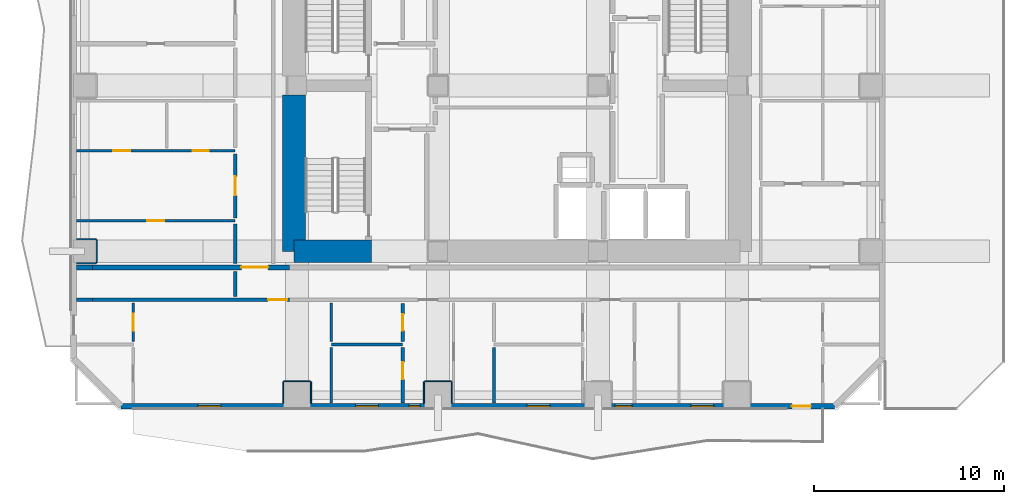
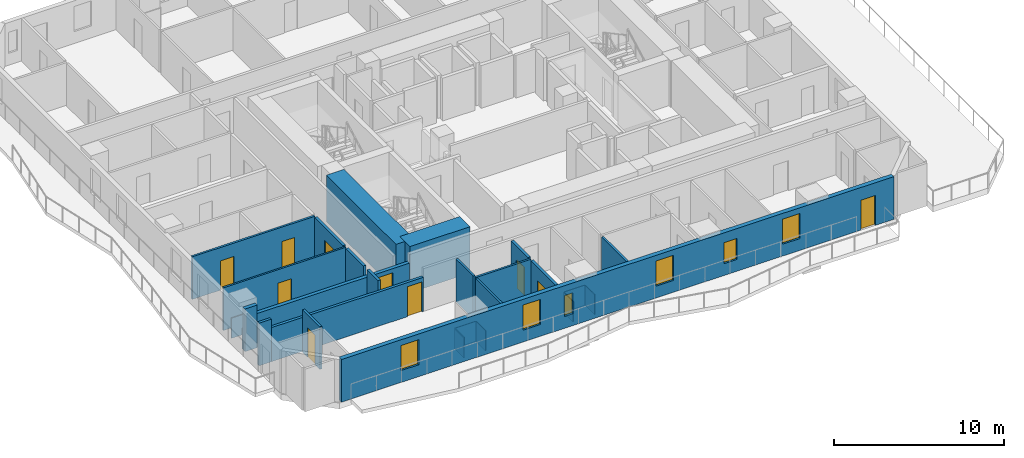
# One storey, part 2 of 12: 28 walls, 10 doors, 6 windows, 16 openings.
"""IFC4 building model written with IfcOpenShell, lengths in metres."""

import ifcopenshell
import ifcopenshell.guid

model = None  # the IFC model being written
_history = None  # IfcOwnerHistory: only IFC2X3 demands one
_inside = {}  # id of a spatial element -> (the spatial element, [elements in it])
_under = {}  # id of a project, library or spatial element -> (it, [spatial elements below it])
_declared = {}  # id of a project -> (the project, [libraries it declares])
_typed = {}  # id of a type object -> (the type object, [elements of that type])
_made_of = {}  # id of a material, layer set ... -> (it, [elements and type objects made of it])


def new_model(schema):
    """Start an empty IFC model of exactly this schema.

    Asked for "IFC4X3", IfcOpenShell would pick the latest addendum, in which some entities
    have other attributes; the version numbers below select the first issue.
    IFC2X3 requires an IfcOwnerHistory on every rooted entity: one is made here for all.
    """
    global model, _history
    if schema == "IFC4X3":
        model = ifcopenshell.file(schema_version=(4, 3, 0, 0))
    else:
        model = ifcopenshell.file(schema=schema)
    _inside.clear()
    _under.clear()
    _declared.clear()
    _typed.clear()
    _made_of.clear()
    _history = None
    if model.schema == "IFC2X3":
        org = make("IfcOrganization", Name="unknown")
        user = make(
            "IfcPersonAndOrganization",
            ThePerson=make("IfcPerson", FamilyName="unknown"),
            TheOrganization=org,
        )
        app = make(
            "IfcApplication",
            ApplicationDeveloper=org,
            Version="unknown",
            ApplicationFullName="unknown",
            ApplicationIdentifier="unknown",
        )
        _history = make(
            "IfcOwnerHistory",
            OwningUser=user,
            OwningApplication=app,
            ChangeAction="ADDED",
            CreationDate=0,
        )
    return model


def make(cls, **values):
    """One entity of the class cls with the attributes given. An attribute that is None is left unset."""
    return model.create_entity(
        cls, **{name: value for name, value in values.items() if value is not None}
    )


def rooted(cls, **values):
    """An entity with a GlobalId (a new one), such as an element, a storey or a relation."""
    return make(cls, GlobalId=ifcopenshell.guid.new(), OwnerHistory=_history, **values)


def si_unit(unit_type, name, prefix=None):
    """IfcSIUnit, for example si_unit("LENGTHUNIT", "METRE", prefix="MILLI")."""
    return make("IfcSIUnit", UnitType=unit_type, Prefix=prefix, Name=name)


def assignment(units):
    """IfcUnitAssignment: the units of a project."""
    return None if units is None else make("IfcUnitAssignment", Units=units)


def point(xyz):
    """IfcCartesianPoint."""
    return None if xyz is None else make("IfcCartesianPoint", Coordinates=xyz)


def direction(xyz):
    """IfcDirection."""
    return None if xyz is None else make("IfcDirection", DirectionRatios=xyz)


def frame(location, z_axis=None, x_axis=None):
    """IfcAxis2Placement3D, a coordinate frame: its origin and axes. An axis left out is left unset."""
    return make(
        "IfcAxis2Placement3D",
        Location=point(location),
        Axis=direction(z_axis),
        RefDirection=direction(x_axis),
    )


def frame_2d(location, x_axis=None):
    """IfcAxis2Placement2D, a coordinate frame in the plane: its origin and x axis."""
    return make(
        "IfcAxis2Placement2D", Location=point(location), RefDirection=direction(x_axis)
    )


def origin():
    """The frame at (0, 0, 0) with its axes left unset."""
    return frame((0.0, 0.0, 0.0))


def place(relative_to, where):
    """IfcLocalPlacement: puts the frame where relative to a parent placement (None: the world)."""
    return make(
        "IfcLocalPlacement", PlacementRelTo=relative_to, RelativePlacement=where
    )


def context(
    kind, dimensions, precision=None, world=None, true_north=None, identifier=None
):
    """IfcGeometricRepresentationContext, for example the 3D "Model" context."""
    return make(
        "IfcGeometricRepresentationContext",
        ContextIdentifier=identifier,
        ContextType=kind,
        CoordinateSpaceDimension=dimensions,
        Precision=precision,
        WorldCoordinateSystem=world,
        TrueNorth=true_north,
    )


def subcontext(parent, identifier, kind, view, scale=None):
    """IfcGeometricRepresentationSubContext, for example "Body" below "Model"."""
    return make(
        "IfcGeometricRepresentationSubContext",
        ContextIdentifier=identifier,
        ContextType=kind,
        ParentContext=parent,
        TargetScale=scale,
        TargetView=view,
    )


def project(units=None, contexts=None):
    """IfcProject with its units and contexts."""
    return rooted(
        "IfcProject",
        Name="project",
        RepresentationContexts=contexts,
        UnitsInContext=assignment(units),
    )


def spatial(cls, under=None, at=None, **own):
    """A site, building, storey or space (cls), placed at a placement, below another one or the project."""
    s = rooted(cls, ObjectPlacement=at, **own)
    if under is not None:
        _under.setdefault(under.id(), (under, []))[1].append(s)
    return s


def profile(cls, at=None, kind="AREA", **sizes):
    """A parametric profile (cls). Its sizes go by their IFC names, for example OverallWidth=200.0."""
    return make(cls, ProfileType=kind, Position=at, **sizes)


def rectangle(**sizes):
    """IfcRectangleProfileDef."""
    return profile("IfcRectangleProfileDef", **sizes)


def extrude(swept, where, along, depth):
    """IfcExtrudedAreaSolid: the profile swept, set in the frame where, extruded along a direction by depth."""
    return make(
        "IfcExtrudedAreaSolid",
        SweptArea=swept,
        Position=where,
        ExtrudedDirection=direction(along),
        Depth=depth,
    )


def shape(context_of_items, identifier, shape_type, items):
    """IfcShapeRepresentation: the items that make up one representation, for example the "Body"."""
    return make(
        "IfcShapeRepresentation",
        ContextOfItems=context_of_items,
        RepresentationIdentifier=identifier,
        RepresentationType=shape_type,
        Items=items,
    )


def material(Name=None, Category=None):
    """IfcMaterial."""
    return make("IfcMaterial", Name=Name, Category=Category)


def layer(
    of_material, thickness, ventilated=None, Name=None, Category=None, Priority=None
):
    """IfcMaterialLayer: one layer of a wall or slab, of a material (None: an air gap)."""
    return make(
        "IfcMaterialLayer",
        Material=of_material,
        LayerThickness=thickness,
        IsVentilated=ventilated,
        Name=Name,
        Category=Category,
        Priority=Priority,
    )


def layer_set(layers, Name=None):
    """IfcMaterialLayerSet."""
    return make("IfcMaterialLayerSet", MaterialLayers=layers, LayerSetName=Name)


def made_of(thing, what):
    """Note that an element or type object is made of a material, layer set ...; save() writes the relation."""
    if what is not None:
        _made_of.setdefault(what.id(), (what, []))[1].append(thing)
    return thing


def type_object(cls, material=None, **own):
    """A type object (cls), such as IfcWallType, which elements share."""
    return made_of(rooted(cls, **own), material)


def element(
    cls,
    number,
    at=None,
    inside=None,
    cuts=None,
    type_object=None,
    material=None,
    context=None,
    identifier="Body",
    shape_type=None,
    held_by="IfcProductDefinitionShape",
    body=None,
    shapes=None,
    **own,
):
    """One element of the class cls, such as IfcWall. Its Tag is "e" and its number.

    at: its placement. inside: the storey or other place that contains it. cuts: it is an
    opening in that element (IfcRelVoidsElement). A single representation is given by context,
    identifier, shape_type and body (its items); several are given by shapes. held_by: the class
    of the entity that holds the representations. save() writes the other relations.
    """
    e = rooted(cls, Tag="e%d" % number, ObjectPlacement=at, **own)
    if body is not None:
        shapes = [shape(context, identifier, shape_type, body)]
    if shapes is not None:
        e.Representation = make(held_by, Representations=shapes)
    if inside is not None:
        _inside.setdefault(inside.id(), (inside, []))[1].append(e)
    if cuts is not None:
        rooted(
            "IfcRelVoidsElement", RelatingBuildingElement=cuts, RelatedOpeningElement=e
        )
    if type_object is not None:
        _typed.setdefault(type_object.id(), (type_object, []))[1].append(e)
    return made_of(e, material)


def fill(opening, filler):
    """IfcRelFillsElement: the door or window that sits in an opening."""
    return rooted(
        "IfcRelFillsElement",
        RelatingOpeningElement=opening,
        RelatedBuildingElement=filler,
    )


def aggregate(whole, parts):
    """IfcRelAggregates: a whole, such as a stair, and the parts it consists of."""
    return rooted("IfcRelAggregates", RelatingObject=whole, RelatedObjects=parts)


def save(model, path):
    """Write the relations noted so far, then the file.

    IfcRelAggregates (storeys below a building ...), IfcRelContainedInSpatialStructure (elements
    in a storey), IfcRelDefinesByType, IfcRelAssociatesMaterial and IfcRelDeclares: one each for
    every whole, place, type object, material and project.
    """
    for whole, parts in _under.values():
        aggregate(whole, parts)
    for where, things in _inside.values():
        rooted(
            "IfcRelContainedInSpatialStructure",
            RelatedElements=things,
            RelatingStructure=where,
        )
    for kind, things in _typed.values():
        rooted("IfcRelDefinesByType", RelatedObjects=things, RelatingType=kind)
    for what, things in _made_of.values():
        rooted("IfcRelAssociatesMaterial", RelatedObjects=things, RelatingMaterial=what)
    for by, libraries in _declared.values():
        rooted("IfcRelDeclares", RelatingContext=by, RelatedDefinitions=libraries)
    model.write(path)


model = new_model("IFC4")

# Units and contexts
model_context = context("Model", 3, precision=1e-05, world=origin(), true_north=direction((0.0, 1.0)))
body_context = subcontext(model_context, "Body", "Model", "MODEL_VIEW")
ifc_project = project(units=[si_unit("LENGTHUNIT", "METRE"), si_unit("AREAUNIT", "SQUARE_METRE"), si_unit("VOLUMEUNIT", "CUBIC_METRE"), si_unit("PLANEANGLEUNIT", "RADIAN"), si_unit("MASSUNIT", "GRAM", prefix="KILO")], contexts=[model_context])

# Site, building, storey
site_placement = place(None, origin())
site = spatial("IfcSite", under=ifc_project, at=site_placement, CompositionType="ELEMENT")
building_placement = place(site_placement, origin())
building = spatial("IfcBuilding", under=site, at=building_placement, Name="Solanera Arch Residences", CompositionType="ELEMENT")
storey_placement = place(building_placement, frame((0.0, 0.0, 81.760009765625)))
storey = spatial("IfcBuildingStorey", under=building, at=storey_placement, Name="L23", CompositionType="ELEMENT", Elevation=81.760009765625)

# Walls
ifc_material_1 = material(Name="Fire-Rated Gypsum Stud Partition", Category="gypsum")
ifc_layer_1 = layer(ifc_material_1, 0.06005859375)
ifc_layer_set_1 = layer_set([ifc_layer_1], Name="Fire-Rated Gypsum Stud Partition")
wall_type_1 = type_object("IfcWallType", Name="Column Acoustic Furring Wall 60", PredefinedType="PARTITIONING", material=ifc_layer_set_1)
wall_1_placement = place(storey_placement, frame((12.699951171875, 15.181884765625, 0.0), z_axis=(0.0, 0.0, 1.0), x_axis=(1.0, 0.0, 0.0)))
element("IfcWall", 1, at=wall_1_placement, inside=storey, type_object=wall_type_1, Name="L23 Column Furring 9N", PredefinedType="PARTITIONING", context=body_context, shape_type="SweptSolid", body=[
    extrude(rectangle(XDim=1.400146484375, YDim=0.06005859375, at=frame_2d((0.7001953125, 0.0))), origin(), (0.0, 0.0, 1.0), 1.449951171875),
])
for number, where, z_axis, x_axis, name in (
    (2, (12.66796875, 14.030029296875, 0.0), (0.0, 0.0, 1.0), (0.0, 1.0, 0.0), "L23 Column Furring 9W"),
    (3, (14.132080078125, 14.030029296875, 0.0), (0.0, 0.0, 1.0), (0.0, 1.0, 0.0), "L23 Column Furring 9E"),
):
    element("IfcWall", number, at=place(storey_placement, frame(where, z_axis=z_axis, x_axis=x_axis)), inside=storey, type_object=wall_type_1, Name=name, PredefinedType="PARTITIONING", context=body_context, shape_type="SweptSolid", body=[
        extrude(rectangle(XDim=1.119873046875, YDim=0.06005859375, at=frame_2d((0.56005859375, 0.0))), origin(), (0.0, 0.0, 1.0), 1.449951171875),
    ])
wall_2_placement = place(storey_placement, frame((20.10009765625, 15.181884765625, 0.0), z_axis=(0.0, 0.0, 1.0), x_axis=(1.0, 0.0, 0.0)))
element("IfcWall", 4, at=wall_2_placement, inside=storey, type_object=wall_type_1, Name="L23 Column Furring 11N", PredefinedType="PARTITIONING", context=body_context, shape_type="SweptSolid", body=[
    extrude(rectangle(XDim=1.39990234375, YDim=0.06005859375, at=frame_2d((0.699951171875, 0.0))), origin(), (0.0, 0.0, 1.0), 1.449951171875),
])
for number, where, z_axis, x_axis, name in (
    (5, (20.068115234375, 14.030029296875, 0.0), (0.0, 0.0, 1.0), (0.0, 1.0, 0.0), "L23 Column Furring 11W"),
    (6, (21.531982421875, 14.030029296875, 0.0), (0.0, 0.0, 1.0), (0.0, 1.0, 0.0), "L23 Column Furring 11E"),
):
    element("IfcWall", number, at=place(storey_placement, frame(where, z_axis=z_axis, x_axis=x_axis)), inside=storey, type_object=wall_type_1, Name=name, PredefinedType="PARTITIONING", context=body_context, shape_type="SweptSolid", body=[
        extrude(rectangle(XDim=1.119873046875, YDim=0.06005859375, at=frame_2d((0.56005859375, 0.0))), origin(), (0.0, 0.0, 1.0), 1.449951171875),
    ])
for number, where, z_axis, x_axis, name in (
    (7, (1.830078125, 21.367919921875, 0.0), (0.0, 0.0, 1.0), (1.0, 0.0, 0.0), "L23 Column Furring 17S"),
    (8, (1.830078125, 22.632080078125, 0.0), (0.0, 0.0, 1.0), (1.0, 0.0, 0.0), "L23 Column Furring 17N"),
):
    element("IfcWall", number, at=place(storey_placement, frame(where, z_axis=z_axis, x_axis=x_axis)), inside=storey, type_object=wall_type_1, Name=name, PredefinedType="PARTITIONING", context=body_context, shape_type="SweptSolid", body=[
        extrude(rectangle(XDim=1.02001953125, YDim=0.06005859375, at=frame_2d((0.510009765625, 0.0))), origin(), (0.0, 0.0, 1.0), 1.449951171875),
    ])
wall_3_placement = place(storey_placement, frame((2.882080078125, 21.39990234375, 0.0), z_axis=(0.0, 0.0, 1.0), x_axis=(0.0, 1.0, 0.0)))
element("IfcWall", 9, at=wall_3_placement, inside=storey, type_object=wall_type_1, Name="L23 Column Furring 17E", PredefinedType="PARTITIONING", context=body_context, shape_type="SweptSolid", body=[
    extrude(rectangle(XDim=1.2001953125, YDim=0.06005859375, at=frame_2d((0.60009765625, 0.0))), origin(), (0.0, 0.0, 1.0), 1.449951171875),
])
ifc_material_2 = material(Name="Concrete C55/67 (f'c = 60 MPa)", Category="concrete")
ifc_layer_2 = layer(ifc_material_2, 1.199951171875)
ifc_layer_set_2 = layer_set([ifc_layer_2], Name="Concrete C55/67 (f'c = 60 MPa)")
wall_type_2 = type_object("IfcWallType", Name="Core Shear Wall CW-1200", PredefinedType="SHEAR", material=ifc_layer_set_2)
wall_4_placement = place(storey_placement, frame((13.239990234375, 22.0, 0.0), z_axis=(0.0, 0.0, 1.0), x_axis=(0.0, 1.0, 0.0)))
element("IfcWall", 10, at=wall_4_placement, inside=storey, type_object=wall_type_2, Name="L23 West Core South Shear Wall", PredefinedType="SHEAR", context=body_context, shape_type="SweptSolid", body=[
    extrude(rectangle(XDim=8.195068359375, YDim=1.199951171875, at=frame_2d((4.09765625, 0.0))), origin(), (0.0, 0.0, 1.0), 3.320068359375),
])
wall_5_placement = place(storey_placement, frame((13.239990234375, 22.0, 0.0), z_axis=(0.0, 0.0, 1.0), x_axis=(1.0, 0.0, 0.0)))
element("IfcWall", 11, at=wall_5_placement, inside=storey, type_object=wall_type_2, Name="L23 South-West Core Shear Wall", PredefinedType="SHEAR", context=body_context, shape_type="SweptSolid", body=[
    extrude(rectangle(XDim=4.080078125, YDim=1.199951171875, at=frame_2d((2.0400390625, 0.0))), origin(), (0.0, 0.0, 1.0), 3.320068359375),
])
ifc_material_3 = material(Name="Autoclaved Aerated Concrete Blockwork", Category="masonry")
ifc_layer_3 = layer(ifc_material_3, 0.179931640625)
ifc_layer_set_3 = layer_set([ifc_layer_3], Name="Autoclaved Aerated Concrete Blockwork")
wall_type_3 = type_object("IfcWallType", Name="Corridor Fire Partition 180", PredefinedType="PARTITIONING", material=ifc_layer_set_3)
wall_6_placement = place(storey_placement, frame((1.826904296875, 19.449951171875, 0.0), z_axis=(0.0, 0.0, 1.0), x_axis=(1.0, 0.0, 0.0)))
element("IfcWall", 12, at=wall_6_placement, inside=storey, type_object=wall_type_3, Name="L23 Interior Partition H8 1", PredefinedType="PARTITIONING", context=body_context, shape_type="SweptSolid", body=[
    extrude(rectangle(XDim=0.830078125, YDim=0.179931640625, at=frame_2d((0.4150390625, 0.0))), origin(), (0.0, 0.0, 1.0), 3.06005859375),
])

# Wall, opening, door
wall_7_placement = place(storey_placement, frame((2.656982421875, 19.449951171875, 0.0), z_axis=(0.0, 0.0, 1.0), x_axis=(1.0, 0.0, 0.0)))
wall_7 = element("IfcWall", 13, at=wall_7_placement, inside=storey, type_object=wall_type_3, Name="L23 Interior Partition H8 2", PredefinedType="PARTITIONING", context=body_context, shape_type="SweptSolid", body=[
    extrude(rectangle(XDim=10.3359375, YDim=0.179931640625, at=frame_2d((5.16796875, 0.0))), origin(), (0.0, 0.0, 1.0), 2.445068359375),
])
opening_1_placement = place(wall_7_placement, frame((9.22607421875, 0.0, 0.0)))
opening_1 = element("IfcOpeningElement", 14, at=opening_1_placement, cuts=wall_7, Name="Opening DI-01", PredefinedType="OPENING", context=body_context, shape_type="SweptSolid", body=[
    extrude(rectangle(XDim=1.0, YDim=2.14990234375, at=frame_2d((0.5, 1.074951171875))), frame((0.0, 0.10009765625, 0.0), z_axis=(0.0, -1.0, 0.0), x_axis=(1.0, 0.0, 0.0)), (0.0, 0.0, 1.0), 0.1999),
])
ifc_material_4 = material(Name="Fire-Rated Architectural Hardwood", Category="wood")
door_type_1 = type_object("IfcDoorType", Name="Unit Entrance Fire Door DI-01", OperationType="NOTDEFINED", PredefinedType="DOOR", material=ifc_material_4)
door_1_placement = place(opening_1_placement, origin())
door_1 = element("IfcDoor", 15, at=door_1_placement, inside=storey, type_object=door_type_1, Name="DR-L23-IN-013", OperationType="SINGLE_SWING_RIGHT", OverallHeight=2.14990234375, OverallWidth=1.0, PredefinedType="DOOR", context=body_context, shape_type="SweptSolid", body=[
    extrude(rectangle(XDim=1.0, YDim=2.14990234375, at=frame_2d((0.5, 1.074951171875))), frame((0.0, 0.02490234375, 0.0), z_axis=(0.0, -1.0, 0.0), x_axis=(1.0, 0.0, 0.0)), (0.0, 0.0, 1.0), 0.050048828125),
])
fill(opening_1, door_1)

# Walls
wall_8_placement = place(storey_placement, frame((10.14990234375, 19.637939453125, 0.0), z_axis=(0.0, 0.0, 1.0), x_axis=(0.0, 1.0, 0.0)))
element("IfcWall", 16, at=wall_8_placement, inside=storey, type_object=wall_type_3, Name="L23 Interior Partition V6 1", PredefinedType="PARTITIONING", context=body_context, shape_type="SweptSolid", body=[
    extrude(rectangle(XDim=1.2939453125, YDim=0.179931640625, at=frame_2d((0.64697265625, 0.0))), origin(), (0.0, 0.0, 1.0), 3.06005859375),
])
wall_9_placement = place(storey_placement, frame((10.14990234375, 21.367919921875, 0.0), z_axis=(0.0, 0.0, 1.0), x_axis=(0.0, 1.0, 0.0)))
element("IfcWall", 17, at=wall_9_placement, inside=storey, type_object=wall_type_3, Name="L23 Interior Partition V6 2", PredefinedType="PARTITIONING", context=body_context, shape_type="SweptSolid", body=[
    extrude(rectangle(XDim=2.073974609375, YDim=0.179931640625, at=frame_2d((1.037109375, 0.0))), origin(), (0.0, 0.0, 1.0), 3.06005859375),
])

# Wall, opening, door
wall_10_placement = place(storey_placement, frame((10.14990234375, 23.758056640625, 0.0), z_axis=(0.0, 0.0, 1.0), x_axis=(0.0, 1.0, 0.0)))
wall_10 = element("IfcWall", 18, at=wall_10_placement, inside=storey, type_object=wall_type_3, Name="L23 Interior Partition V6 3", PredefinedType="PARTITIONING", context=body_context, shape_type="SweptSolid", body=[
    extrude(rectangle(XDim=3.348876953125, YDim=0.179931640625, at=frame_2d((1.67431640625, 0.0))), origin(), (0.0, 0.0, 1.0), 3.06005859375),
])
opening_2_placement = place(wall_10_placement, frame((1.179931640625, 0.0, 0.0)))
opening_2 = element("IfcOpeningElement", 19, at=opening_2_placement, cuts=wall_10, Name="Opening DI-01", PredefinedType="OPENING", context=body_context, shape_type="SweptSolid", body=[
    extrude(rectangle(XDim=1.0, YDim=2.14990234375, at=frame_2d((0.5, 1.074951171875))), frame((0.0, 0.10009765625, 0.0), z_axis=(0.0, -1.0, 0.0), x_axis=(1.0, 0.0, 0.0)), (0.0, 0.0, 1.0), 0.1999),
])
door_2_placement = place(opening_2_placement, origin())
door_2 = element("IfcDoor", 20, at=door_2_placement, inside=storey, type_object=door_type_1, Name="DR-L23-IN-042", OperationType="SINGLE_SWING_LEFT", OverallHeight=2.14990234375, OverallWidth=1.0, PredefinedType="DOOR", context=body_context, shape_type="SweptSolid", body=[
    extrude(rectangle(XDim=1.0, YDim=2.14990234375, at=frame_2d((0.5, 1.074951171875))), frame((0.0, 0.02490234375, 0.0), z_axis=(0.0, -1.0, 0.0), x_axis=(1.0, 0.0, 0.0)), (0.0, 0.0, 1.0), 0.050048828125),
])
fill(opening_2, door_2)

wall_11_placement = place(storey_placement, frame((18.949951171875, 14.027099609375, 0.0), z_axis=(0.0, 0.0, 1.0), x_axis=(0.0, 1.0, 0.0)))
wall_11 = element("IfcWall", 21, at=wall_11_placement, inside=storey, type_object=wall_type_3, Name="L23 Interior Partition V8 1", PredefinedType="PARTITIONING", context=body_context, shape_type="SweptSolid", body=[
    extrude(rectangle(XDim=2.911865234375, YDim=0.179931640625, at=frame_2d((1.4560546875, 0.0))), origin(), (0.0, 0.0, 1.0), 3.06005859375),
])
opening_3_placement = place(wall_11_placement, frame((1.2490234375, 0.0, 0.0)))
opening_3 = element("IfcOpeningElement", 22, at=opening_3_placement, cuts=wall_11, Name="Opening DI-03", PredefinedType="OPENING", context=body_context, shape_type="SweptSolid", body=[
    extrude(rectangle(XDim=0.89990234375, YDim=2.10009765625, at=frame_2d((0.449951171875, 1.050048828125))), frame((0.0, 0.10009765625, 0.0), z_axis=(0.0, -1.0, 0.0), x_axis=(1.0, 0.0, 0.0)), (0.0, 0.0, 1.0), 0.1999),
])
ifc_material_5 = material(Name="Fire-Rated Architectural Hardwood", Category="wood")
door_type_2 = type_object("IfcDoorType", Name="Bedroom Swing Door DI-03", OperationType="NOTDEFINED", PredefinedType="DOOR", material=ifc_material_5)
door_3_placement = place(opening_3_placement, origin())
door_3 = element("IfcDoor", 23, at=door_3_placement, inside=storey, type_object=door_type_2, Name="DR-L23-IN-018", OperationType="SINGLE_SWING_LEFT", OverallHeight=2.10009765625, OverallWidth=0.89990234375, PredefinedType="DOOR", context=body_context, shape_type="SweptSolid", body=[
    extrude(rectangle(XDim=0.89990234375, YDim=2.10009765625, at=frame_2d((0.449951171875, 1.050048828125))), frame((0.0, 0.02490234375, 0.0), z_axis=(0.0, -1.0, 0.0), x_axis=(1.0, 0.0, 0.0)), (0.0, 0.0, 1.0), 0.050048828125),
])
fill(opening_3, door_3)

wall_12_placement = place(storey_placement, frame((18.949951171875, 17.27490234375, 0.0), z_axis=(0.0, 0.0, 1.0), x_axis=(0.0, 1.0, 0.0)))
wall_12 = element("IfcWall", 24, at=wall_12_placement, inside=storey, type_object=wall_type_3, Name="L23 Interior Partition V8 2", PredefinedType="PARTITIONING", context=body_context, shape_type="SweptSolid", body=[
    extrude(rectangle(XDim=1.987060546875, YDim=0.179931640625, at=frame_2d((0.99365234375, 0.0))), origin(), (0.0, 0.0, 1.0), 3.06005859375),
])
opening_4_placement = place(wall_12_placement, frame((0.56103515625, 0.0, 0.0)))
opening_4 = element("IfcOpeningElement", 25, at=opening_4_placement, cuts=wall_12, Name="Opening DI-05", PredefinedType="OPENING", context=body_context, shape_type="SweptSolid", body=[
    extrude(rectangle(XDim=0.860107421875, YDim=2.02001953125, at=frame_2d((0.43017578125, 1.010009765625))), frame((0.0, 0.10009765625, 0.0), z_axis=(0.0, -1.0, 0.0), x_axis=(1.0, 0.0, 0.0)), (0.0, 0.0, 1.0), 0.1999),
])
ifc_material_6 = material(Name="Fire-Rated Architectural Hardwood", Category="wood")
door_type_3 = type_object("IfcDoorType", Name="Bathroom Swing Door DI-05", OperationType="NOTDEFINED", PredefinedType="DOOR", material=ifc_material_6)
door_4_placement = place(opening_4_placement, origin())
door_4 = element("IfcDoor", 26, at=door_4_placement, inside=storey, type_object=door_type_3, Name="DR-L23-IN-017", OperationType="SINGLE_SWING_RIGHT", OverallHeight=2.02001953125, OverallWidth=0.860107421875, PredefinedType="DOOR", context=body_context, shape_type="SweptSolid", body=[
    extrude(rectangle(XDim=0.860107421875, YDim=2.02001953125, at=frame_2d((0.43017578125, 1.010009765625))), frame((0.0, 0.02490234375, 0.0), z_axis=(0.0, -1.0, 0.0), x_axis=(1.0, 0.0, 0.0)), (0.0, 0.0, 1.0), 0.050048828125),
])
fill(opening_4, door_4)

# Wall, openings, door, windows
ifc_material_7 = material(Name="Precast Concrete C35/45", Category="concrete")
ifc_layer_4 = layer(ifc_material_7, 0.300048828125)
ifc_layer_set_4 = layer_set([ifc_layer_4], Name="Precast Concrete C35/45")
wall_type_4 = type_object("IfcWallType", Name="Exterior Wall Precast Masonry-Frame 300", PredefinedType="STANDARD", material=ifc_layer_set_4)
wall_13_placement = place(storey_placement, frame((41.635009765625, 13.864990234375, 0.0), z_axis=(0.0, 0.0, 1.0), x_axis=(-1.0, 0.0, 0.0)))
wall_13 = element("IfcWall", 27, at=wall_13_placement, inside=storey, type_object=wall_type_4, Name="L23 Tower Exterior Precast Masonry-Frame Wall S", PredefinedType="STANDARD", context=body_context, shape_type="SweptSolid", body=[
    extrude(rectangle(XDim=37.469970703125, YDim=0.300048828125, at=frame_2d((18.73486328125, 0.0))), origin(), (0.0, 0.0, 1.0), 3.06005859375),
])
opening_5_placement = place(wall_13_placement, frame((1.2509765625, 0.0, 0.0)))
opening_5 = element("IfcOpeningElement", 28, at=opening_5_placement, cuts=wall_13, Name="Opening DB-01", PredefinedType="OPENING", context=body_context, shape_type="SweptSolid", body=[
    extrude(rectangle(XDim=1.0, YDim=2.14990234375, at=frame_2d((0.5, 1.074951171875))), frame((0.0, 0.159912109375, 0.0), z_axis=(0.0, -1.0, 0.0), x_axis=(1.0, 0.0, 0.0)), (0.0, 0.0, 1.0), 0.32),
])
opening_6_placement = place(wall_13_placement, frame((32.235107421875, 0.0, 0.85009765625)))
opening_6 = element("IfcOpeningElement", 29, at=opening_6_placement, cuts=wall_13, Name="Opening W-01", PredefinedType="OPENING", context=body_context, shape_type="SweptSolid", body=[
    extrude(rectangle(XDim=1.199951171875, YDim=1.800048828125, at=frame_2d((0.60009765625, 0.89990234375))), frame((0.0, 0.159912109375, 0.0), z_axis=(0.0, -1.0, 0.0), x_axis=(1.0, 0.0, 0.0)), (0.0, 0.0, 1.0), 0.32),
])
opening_7_placement = place(wall_13_placement, frame((21.77392578125, 0.0, 0.85009765625)))
opening_7 = element("IfcOpeningElement", 30, at=opening_7_placement, cuts=wall_13, Name="Opening W-14", PredefinedType="OPENING", context=body_context, shape_type="SweptSolid", body=[
    extrude(rectangle(XDim=0.580078125, YDim=1.5, at=frame_2d((0.2900390625, 0.75))), frame((0.0, 0.159912109375, 0.0), z_axis=(0.0, -1.0, 0.0), x_axis=(1.0, 0.0, 0.0)), (0.0, 0.0, 1.0), 0.32),
])
opening_8_placement = place(wall_13_placement, frame((23.962890625, 0.0, 0.85009765625)))
opening_8 = element("IfcOpeningElement", 31, at=opening_8_placement, cuts=wall_13, Name="Opening W-01", PredefinedType="OPENING", context=body_context, shape_type="SweptSolid", body=[
    extrude(rectangle(XDim=1.199951171875, YDim=1.800048828125, at=frame_2d((0.60009765625, 0.89990234375))), frame((0.0, 0.159912109375, 0.0), z_axis=(0.0, -1.0, 0.0), x_axis=(1.0, 0.0, 0.0)), (0.0, 0.0, 1.0), 0.32),
])
opening_9_placement = place(wall_13_placement, frame((10.639892578125, 0.0, 0.85009765625)))
opening_9 = element("IfcOpeningElement", 32, at=opening_9_placement, cuts=wall_13, Name="Opening W-06", PredefinedType="OPENING", context=body_context, shape_type="SweptSolid", body=[
    extrude(rectangle(XDim=0.89990234375, YDim=1.5, at=frame_2d((0.449951171875, 0.75))), frame((0.0, 0.159912109375, 0.0), z_axis=(0.0, -1.0, 0.0), x_axis=(1.0, 0.0, 0.0)), (0.0, 0.0, 1.0), 0.32),
])
opening_10_placement = place(wall_13_placement, frame((14.958984375, 0.0, 0.85009765625)))
opening_10 = element("IfcOpeningElement", 33, at=opening_10_placement, cuts=wall_13, Name="Opening W-01", PredefinedType="OPENING", context=body_context, shape_type="SweptSolid", body=[
    extrude(rectangle(XDim=1.199951171875, YDim=1.800048828125, at=frame_2d((0.60009765625, 0.89990234375))), frame((0.0, 0.159912109375, 0.0), z_axis=(0.0, -1.0, 0.0), x_axis=(1.0, 0.0, 0.0)), (0.0, 0.0, 1.0), 0.32),
])
opening_11_placement = place(wall_13_placement, frame((6.35888671875, 0.0, 0.85009765625)))
opening_11 = element("IfcOpeningElement", 34, at=opening_11_placement, cuts=wall_13, Name="Opening W-01", PredefinedType="OPENING", context=body_context, shape_type="SweptSolid", body=[
    extrude(rectangle(XDim=1.199951171875, YDim=1.800048828125, at=frame_2d((0.60009765625, 0.89990234375))), frame((0.0, 0.159912109375, 0.0), z_axis=(0.0, -1.0, 0.0), x_axis=(1.0, 0.0, 0.0)), (0.0, 0.0, 1.0), 0.32),
])
ifc_material_8 = material(Name="Anodised Aluminium Alloy 6063-T6", Category="aluminium")
door_type_4 = type_object("IfcDoorType", Name="Glazed Balcony Swing Door DB-01", OperationType="NOTDEFINED", PredefinedType="DOOR", material=ifc_material_8)
door_5_placement = place(opening_5_placement, origin())
door_5 = element("IfcDoor", 35, at=door_5_placement, inside=storey, type_object=door_type_4, Name="DR-L23-OUT-02", OperationType="SINGLE_SWING_RIGHT", OverallHeight=2.14990234375, OverallWidth=1.0, PredefinedType="DOOR", context=body_context, shape_type="SweptSolid", body=[
    extrude(rectangle(XDim=1.0, YDim=2.14990234375, at=frame_2d((0.5, 1.074951171875))), frame((0.0, 0.02490234375, 0.0), z_axis=(0.0, -1.0, 0.0), x_axis=(1.0, 0.0, 0.0)), (0.0, 0.0, 1.0), 0.050048828125),
])
fill(opening_5, door_5)
ifc_material_9 = material(Name="Double Glazed Low-E Laminated Glass", Category="glass")
window_type_1 = type_object("IfcWindowType", Name="Punched Window W-01", PartitioningType="SINGLE_PANEL", PredefinedType="WINDOW", material=ifc_material_9)
window_1_placement = place(opening_6_placement, origin())
window_1 = element("IfcWindow", 36, at=window_1_placement, inside=storey, type_object=window_type_1, Name="L23 2301-LIV Punched Window", OverallHeight=1.800048828125, OverallWidth=1.199951171875, PartitioningType="SINGLE_PANEL", PredefinedType="WINDOW", context=body_context, shape_type="SweptSolid", body=[
    extrude(rectangle(XDim=1.199951171875, YDim=1.800048828125, at=frame_2d((0.60009765625, 0.89990234375))), frame((0.0, 0.030029296875, 0.0), z_axis=(0.0, -1.0, 0.0), x_axis=(1.0, 0.0, 0.0)), (0.0, 0.0, 1.0), 0.06005859375),
])
fill(opening_6, window_1)
window_2_placement = place(opening_8_placement, origin())
window_2 = element("IfcWindow", 37, at=window_2_placement, inside=storey, type_object=window_type_1, Name="L23 2302-BR1 Punched Window", OverallHeight=1.800048828125, OverallWidth=1.199951171875, PartitioningType="SINGLE_PANEL", PredefinedType="WINDOW", context=body_context, shape_type="SweptSolid", body=[
    extrude(rectangle(XDim=1.199951171875, YDim=1.800048828125, at=frame_2d((0.60009765625, 0.89990234375))), frame((0.0, 0.030029296875, 0.0), z_axis=(0.0, -1.0, 0.0), x_axis=(1.0, 0.0, 0.0)), (0.0, 0.0, 1.0), 0.06005859375),
])
fill(opening_8, window_2)
window_3_placement = place(opening_10_placement, origin())
window_3 = element("IfcWindow", 38, at=window_3_placement, inside=storey, type_object=window_type_1, Name="L23 2303-BR1 Punched Window", OverallHeight=1.800048828125, OverallWidth=1.199951171875, PartitioningType="SINGLE_PANEL", PredefinedType="WINDOW", context=body_context, shape_type="SweptSolid", body=[
    extrude(rectangle(XDim=1.199951171875, YDim=1.800048828125, at=frame_2d((0.60009765625, 0.89990234375))), frame((0.0, 0.030029296875, 0.0), z_axis=(0.0, -1.0, 0.0), x_axis=(1.0, 0.0, 0.0)), (0.0, 0.0, 1.0), 0.06005859375),
])
fill(opening_10, window_3)
window_4_placement = place(opening_11_placement, origin())
window_4 = element("IfcWindow", 39, at=window_4_placement, inside=storey, type_object=window_type_1, Name="L23 2304-LIV Punched Window", OverallHeight=1.800048828125, OverallWidth=1.199951171875, PartitioningType="SINGLE_PANEL", PredefinedType="WINDOW", context=body_context, shape_type="SweptSolid", body=[
    extrude(rectangle(XDim=1.199951171875, YDim=1.800048828125, at=frame_2d((0.60009765625, 0.89990234375))), frame((0.0, 0.030029296875, 0.0), z_axis=(0.0, -1.0, 0.0), x_axis=(1.0, 0.0, 0.0)), (0.0, 0.0, 1.0), 0.06005859375),
])
fill(opening_11, window_4)
ifc_material_10 = material(Name="Double Glazed Low-E Laminated Glass", Category="glass")
window_type_2 = type_object("IfcWindowType", Name="Punched Window W-06", PartitioningType="SINGLE_PANEL", PredefinedType="WINDOW", material=ifc_material_10)
window_5_placement = place(opening_9_placement, origin())
window_5 = element("IfcWindow", 40, at=window_5_placement, inside=storey, type_object=window_type_2, Name="L23 2303-LIV Punched Window", OverallHeight=1.5, OverallWidth=0.89990234375, PartitioningType="SINGLE_PANEL", PredefinedType="WINDOW", context=body_context, shape_type="SweptSolid", body=[
    extrude(rectangle(XDim=0.89990234375, YDim=1.5, at=frame_2d((0.449951171875, 0.75))), frame((0.0, 0.030029296875, 0.0), z_axis=(0.0, -1.0, 0.0), x_axis=(1.0, 0.0, 0.0)), (0.0, 0.0, 1.0), 0.06005859375),
])
fill(opening_9, window_5)
ifc_material_11 = material(Name="Double Glazed Low-E Laminated Glass", Category="glass")
window_type_3 = type_object("IfcWindowType", Name="Punched Window W-14", PartitioningType="SINGLE_PANEL", PredefinedType="WINDOW", material=ifc_material_11)
window_6_placement = place(opening_7_placement, origin())
window_6 = element("IfcWindow", 41, at=window_6_placement, inside=storey, type_object=window_type_3, Name="L23 2302-LIV Punched Window", OverallHeight=1.5, OverallWidth=0.580078125, PartitioningType="SINGLE_PANEL", PredefinedType="WINDOW", context=body_context, shape_type="SweptSolid", body=[
    extrude(rectangle(XDim=0.580078125, YDim=1.5, at=frame_2d((0.2900390625, 0.75))), frame((0.0, 0.030029296875, 0.0), z_axis=(0.0, -1.0, 0.0), x_axis=(1.0, 0.0, 0.0)), (0.0, 0.0, 1.0), 0.06005859375),
])
fill(opening_7, window_6)

# Wall
ifc_material_12 = material(Name="Autoclaved Aerated Concrete Blockwork", Category="masonry")
ifc_layer_5 = layer(ifc_material_12, 0.239990234375)
ifc_layer_set_5 = layer_set([ifc_layer_5], Name="Autoclaved Aerated Concrete Blockwork")
wall_type_5 = type_object("IfcWallType", Name="Shaft Wall Fire-Rated 240", PredefinedType="PARTITIONING", material=ifc_layer_set_5)
wall_14_placement = place(storey_placement, frame((1.826904296875, 21.14990234375, 0.0), z_axis=(0.0, 0.0, 1.0), x_axis=(1.0, 0.0, 0.0)))
element("IfcWall", 42, at=wall_14_placement, inside=storey, type_object=wall_type_5, Name="L23 Interior Partition H1 1", PredefinedType="PARTITIONING", context=body_context, shape_type="SweptSolid", body=[
    extrude(rectangle(XDim=0.830078125, YDim=0.239990234375, at=frame_2d((0.4150390625, 0.0))), origin(), (0.0, 0.0, 1.0), 3.06005859375),
])

# Wall, opening, door
wall_15_placement = place(storey_placement, frame((2.656982421875, 21.14990234375, 0.0), z_axis=(0.0, 0.0, 1.0), x_axis=(1.0, 0.0, 0.0)))
wall_15 = element("IfcWall", 43, at=wall_15_placement, inside=storey, type_object=wall_type_5, Name="L23 Interior Partition H1 2", PredefinedType="PARTITIONING", context=body_context, shape_type="SweptSolid", body=[
    extrude(rectangle(XDim=10.3359375, YDim=0.239990234375, at=frame_2d((5.16796875, 0.0))), origin(), (0.0, 0.0, 1.0), 2.445068359375),
])
opening_12_placement = place(wall_15_placement, frame((7.81689453125, 0.0, 0.0)))
opening_12 = element("IfcOpeningElement", 44, at=opening_12_placement, cuts=wall_15, Name="Opening DF-03", PredefinedType="OPENING", context=body_context, shape_type="SweptSolid", body=[
    extrude(rectangle(XDim=1.39990234375, YDim=2.14990234375, at=frame_2d((0.699951171875, 1.074951171875))), frame((0.0, 0.1298828125, 0.0), z_axis=(0.0, -1.0, 0.0), x_axis=(1.0, 0.0, 0.0)), (0.0, 0.0, 1.0), 0.26),
])
ifc_material_13 = material(Name="Fire-Rated Architectural Hardwood", Category="wood")
door_type_5 = type_object("IfcDoorType", Name="Corridor Smoke Door DF-03", OperationType="NOTDEFINED", PredefinedType="DOOR", material=ifc_material_13)
door_6_placement = place(opening_12_placement, origin())
door_6 = element("IfcDoor", 45, at=door_6_placement, inside=storey, type_object=door_type_5, Name="DR-L23-IN-010", OperationType="SINGLE_SWING_LEFT", OverallHeight=2.14990234375, OverallWidth=1.39990234375, PredefinedType="DOOR", context=body_context, shape_type="SweptSolid", body=[
    extrude(rectangle(XDim=1.39990234375, YDim=2.14990234375, at=frame_2d((0.699951171875, 1.074951171875))), frame((0.0, 0.02490234375, 0.0), z_axis=(0.0, -1.0, 0.0), x_axis=(1.0, 0.0, 0.0)), (0.0, 0.0, 1.0), 0.050048828125),
])
fill(opening_12, door_6)

ifc_material_14 = material(Name="Fire-Rated Gypsum Stud Partition", Category="gypsum")
ifc_layer_6 = layer(ifc_material_14, 0.1201171875)
ifc_layer_set_6 = layer_set([ifc_layer_6], Name="Fire-Rated Gypsum Stud Partition")
wall_type_6 = type_object("IfcWallType", Name="Unit Drywall Partition 120", PredefinedType="PARTITIONING", material=ifc_layer_set_6)
wall_16_placement = place(storey_placement, frame((1.826904296875, 23.60009765625, 0.0), z_axis=(0.0, 0.0, 1.0), x_axis=(1.0, 0.0, 0.0)))
wall_16 = element("IfcWall", 46, at=wall_16_placement, inside=storey, type_object=wall_type_6, Name="L23 Interior Partition H28", PredefinedType="PARTITIONING", context=body_context, shape_type="SweptSolid", body=[
    extrude(rectangle(XDim=8.322998046875, YDim=0.1201171875, at=frame_2d((4.16162109375, 0.0))), origin(), (0.0, 0.0, 1.0), 3.06005859375),
])
opening_13_placement = place(wall_16_placement, frame((3.697998046875, 0.0, 0.0)))
opening_13 = element("IfcOpeningElement", 47, at=opening_13_placement, cuts=wall_16, Name="Opening DI-02", PredefinedType="OPENING", context=body_context, shape_type="SweptSolid", body=[
    extrude(rectangle(XDim=0.89990234375, YDim=2.10009765625, at=frame_2d((0.449951171875, 1.050048828125))), frame((0.0, 0.070068359375, 0.0), z_axis=(0.0, -1.0, 0.0), x_axis=(1.0, 0.0, 0.0)), (0.0, 0.0, 1.0), 0.1401),
])
ifc_material_15 = material(Name="Fire-Rated Architectural Hardwood", Category="wood")
door_type_6 = type_object("IfcDoorType", Name="Suite Room Swing Door DI-02", OperationType="NOTDEFINED", PredefinedType="DOOR", material=ifc_material_15)
door_7_placement = place(opening_13_placement, origin())
door_7 = element("IfcDoor", 48, at=door_7_placement, inside=storey, type_object=door_type_6, Name="DR-L23-IN-043", OperationType="SINGLE_SWING_RIGHT", OverallHeight=2.10009765625, OverallWidth=0.89990234375, PredefinedType="DOOR", context=body_context, shape_type="SweptSolid", body=[
    extrude(rectangle(XDim=0.89990234375, YDim=2.10009765625, at=frame_2d((0.449951171875, 1.050048828125))), frame((0.0, 0.02490234375, 0.0), z_axis=(0.0, -1.0, 0.0), x_axis=(1.0, 0.0, 0.0)), (0.0, 0.0, 1.0), 0.050048828125),
])
fill(opening_13, door_7)

# Wall
ifc_material_16 = material(Name="Autoclaved Aerated Concrete Blockwork", Category="masonry")
ifc_layer_7 = layer(ifc_material_16, 0.139892578125)
ifc_layer_set_7 = layer_set([ifc_layer_7], Name="Autoclaved Aerated Concrete Blockwork")
wall_type_7 = type_object("IfcWallType", Name="Wet-Room Partition 140", PredefinedType="PARTITIONING", material=ifc_layer_set_7)
wall_17_placement = place(storey_placement, frame((15.200927734375, 17.10693359375, 0.0), z_axis=(0.0, 0.0, 1.0), x_axis=(1.0, 0.0, 0.0)))
element("IfcWall", 49, at=wall_17_placement, inside=storey, type_object=wall_type_7, Name="L23 Interior Partition H16", PredefinedType="PARTITIONING", context=body_context, shape_type="SweptSolid", body=[
    extrude(rectangle(XDim=3.740966796875, YDim=0.139892578125, at=frame_2d((1.87060546875, 0.0))), origin(), (0.0, 0.0, 1.0), 3.06005859375),
])

# Wall, openings, doors
wall_18_placement = place(storey_placement, frame((1.826904296875, 27.27490234375, 0.0), z_axis=(0.0, 0.0, 1.0), x_axis=(1.0, 0.0, 0.0)))
wall_18 = element("IfcWall", 50, at=wall_18_placement, inside=storey, type_object=wall_type_7, Name="L23 Interior Partition H19", PredefinedType="PARTITIONING", context=body_context, shape_type="SweptSolid", body=[
    extrude(rectangle(XDim=8.322998046875, YDim=0.139892578125, at=frame_2d((4.16162109375, 0.0))), origin(), (0.0, 0.0, 1.0), 3.06005859375),
])
opening_14_placement = place(wall_18_placement, frame((6.0849609375, 0.0, 0.0)))
opening_14 = element("IfcOpeningElement", 51, at=opening_14_placement, cuts=wall_18, Name="Opening DI-05", PredefinedType="OPENING", context=body_context, shape_type="SweptSolid", body=[
    extrude(rectangle(XDim=0.860107421875, YDim=2.02001953125, at=frame_2d((0.43017578125, 1.010009765625))), frame((0.0, 0.079833984375, 0.0), z_axis=(0.0, -1.0, 0.0), x_axis=(1.0, 0.0, 0.0)), (0.0, 0.0, 1.0), 0.1599),
])
opening_15_placement = place(wall_18_placement, frame((1.9150390625, 0.0, 0.0)))
opening_15 = element("IfcOpeningElement", 52, at=opening_15_placement, cuts=wall_18, Name="Opening DI-03", PredefinedType="OPENING", context=body_context, shape_type="SweptSolid", body=[
    extrude(rectangle(XDim=0.89990234375, YDim=2.10009765625, at=frame_2d((0.449951171875, 1.050048828125))), frame((0.0, 0.079833984375, 0.0), z_axis=(0.0, -1.0, 0.0), x_axis=(1.0, 0.0, 0.0)), (0.0, 0.0, 1.0), 0.1599),
])
door_8_placement = place(opening_14_placement, origin())
door_8 = element("IfcDoor", 53, at=door_8_placement, inside=storey, type_object=door_type_3, Name="DR-L23-IN-044", OperationType="SINGLE_SWING_LEFT", OverallHeight=2.02001953125, OverallWidth=0.860107421875, PredefinedType="DOOR", context=body_context, shape_type="SweptSolid", body=[
    extrude(rectangle(XDim=0.860107421875, YDim=2.02001953125, at=frame_2d((0.43017578125, 1.010009765625))), frame((0.0, 0.02490234375, 0.0), z_axis=(0.0, -1.0, 0.0), x_axis=(1.0, 0.0, 0.0)), (0.0, 0.0, 1.0), 0.050048828125),
])
fill(opening_14, door_8)
door_9_placement = place(opening_15_placement, origin())
door_9 = element("IfcDoor", 54, at=door_9_placement, inside=storey, type_object=door_type_2, Name="DR-L23-IN-045", OperationType="SINGLE_SWING_RIGHT", OverallHeight=2.10009765625, OverallWidth=0.89990234375, PredefinedType="DOOR", context=body_context, shape_type="SweptSolid", body=[
    extrude(rectangle(XDim=0.89990234375, YDim=2.10009765625, at=frame_2d((0.449951171875, 1.050048828125))), frame((0.0, 0.02490234375, 0.0), z_axis=(0.0, -1.0, 0.0), x_axis=(1.0, 0.0, 0.0)), (0.0, 0.0, 1.0), 0.050048828125),
])
fill(opening_15, door_9)

# Wall, opening, door
wall_19_placement = place(storey_placement, frame((4.800048828125, 17.2548828125, 0.0), z_axis=(0.0, 0.0, 1.0), x_axis=(0.0, 1.0, 0.0)))
wall_19 = element("IfcWall", 55, at=wall_19_placement, inside=storey, type_object=wall_type_7, Name="L23 Interior Partition V14 2", PredefinedType="PARTITIONING", context=body_context, shape_type="SweptSolid", body=[
    extrude(rectangle(XDim=2.027099609375, YDim=0.139892578125, at=frame_2d((1.013671875, 0.0))), origin(), (0.0, 0.0, 1.0), 3.06005859375),
])
opening_16_placement = place(wall_19_placement, frame((0.56103515625, 0.0, 0.0)))
opening_16 = element("IfcOpeningElement", 56, at=opening_16_placement, cuts=wall_19, Name="Opening DI-02", PredefinedType="OPENING", context=body_context, shape_type="SweptSolid", body=[
    extrude(rectangle(XDim=0.89990234375, YDim=2.10009765625, at=frame_2d((0.449951171875, 1.050048828125))), frame((0.0, 0.079833984375, 0.0), z_axis=(0.0, -1.0, 0.0), x_axis=(1.0, 0.0, 0.0)), (0.0, 0.0, 1.0), 0.1599),
])
door_10_placement = place(opening_16_placement, origin())
door_10 = element("IfcDoor", 57, at=door_10_placement, inside=storey, type_object=door_type_6, Name="DR-L23-IN-014", OperationType="SINGLE_SWING_LEFT", OverallHeight=2.10009765625, OverallWidth=0.89990234375, PredefinedType="DOOR", context=body_context, shape_type="SweptSolid", body=[
    extrude(rectangle(XDim=0.89990234375, YDim=2.10009765625, at=frame_2d((0.449951171875, 1.050048828125))), frame((0.0, 0.02490234375, 0.0), z_axis=(0.0, -1.0, 0.0), x_axis=(1.0, 0.0, 0.0)), (0.0, 0.0, 1.0), 0.050048828125),
])
fill(opening_16, door_10)

# Walls
wall_20_placement = place(storey_placement, frame((15.200927734375, 14.027099609375, 0.0), z_axis=(0.0, 0.0, 1.0), x_axis=(0.0, 1.0, 0.0)))
element("IfcWall", 58, at=wall_20_placement, inside=storey, type_object=wall_type_7, Name="L23 Interior Partition V18 1", PredefinedType="PARTITIONING", context=body_context, shape_type="SweptSolid", body=[
    extrude(rectangle(XDim=2.931884765625, YDim=0.139892578125, at=frame_2d((1.4658203125, 0.0))), origin(), (0.0, 0.0, 1.0), 3.06005859375),
])
wall_21_placement = place(storey_placement, frame((15.200927734375, 17.2548828125, 0.0), z_axis=(0.0, 0.0, 1.0), x_axis=(0.0, 1.0, 0.0)))
element("IfcWall", 59, at=wall_21_placement, inside=storey, type_object=wall_type_7, Name="L23 Interior Partition V18 2", PredefinedType="PARTITIONING", context=body_context, shape_type="SweptSolid", body=[
    extrude(rectangle(XDim=2.027099609375, YDim=0.139892578125, at=frame_2d((1.013671875, 0.0))), origin(), (0.0, 0.0, 1.0), 3.06005859375),
])
wall_22_placement = place(storey_placement, frame((23.741943359375, 14.027099609375, 0.0), z_axis=(0.0, 0.0, 1.0), x_axis=(0.0, 1.0, 0.0)))
element("IfcWall", 60, at=wall_22_placement, inside=storey, type_object=wall_type_7, Name="L23 Interior Partition V19 1", PredefinedType="PARTITIONING", context=body_context, shape_type="SweptSolid", body=[
    extrude(rectangle(XDim=2.931884765625, YDim=0.139892578125, at=frame_2d((1.4658203125, 0.0))), origin(), (0.0, 0.0, 1.0), 3.06005859375),
])

save(model, "model.ifc")
